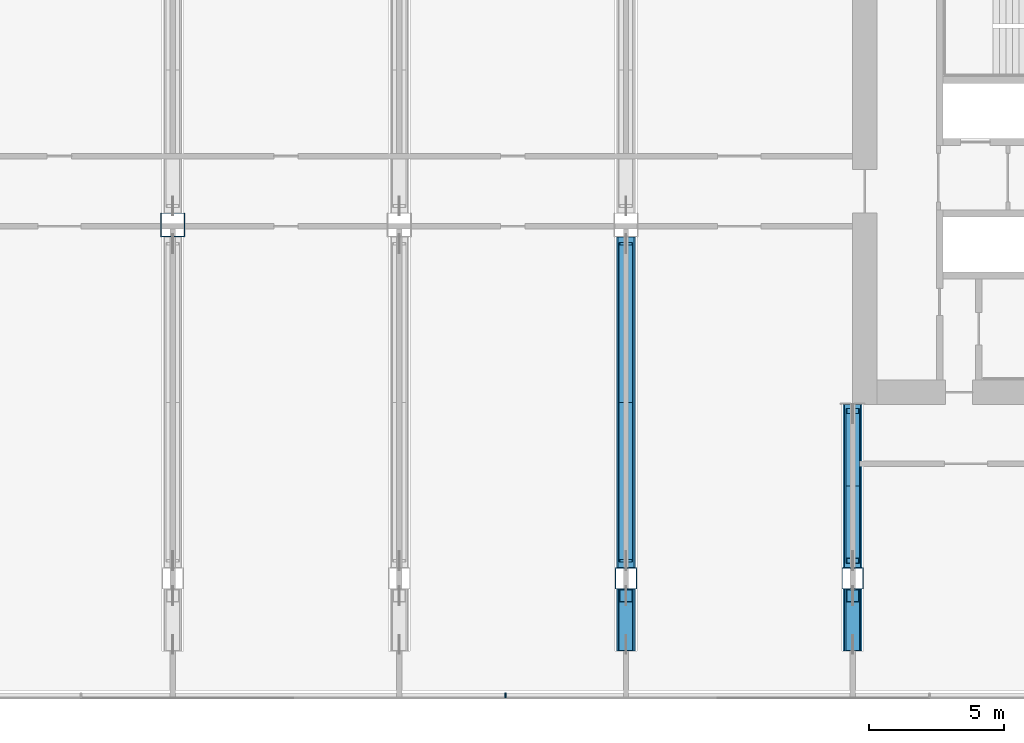
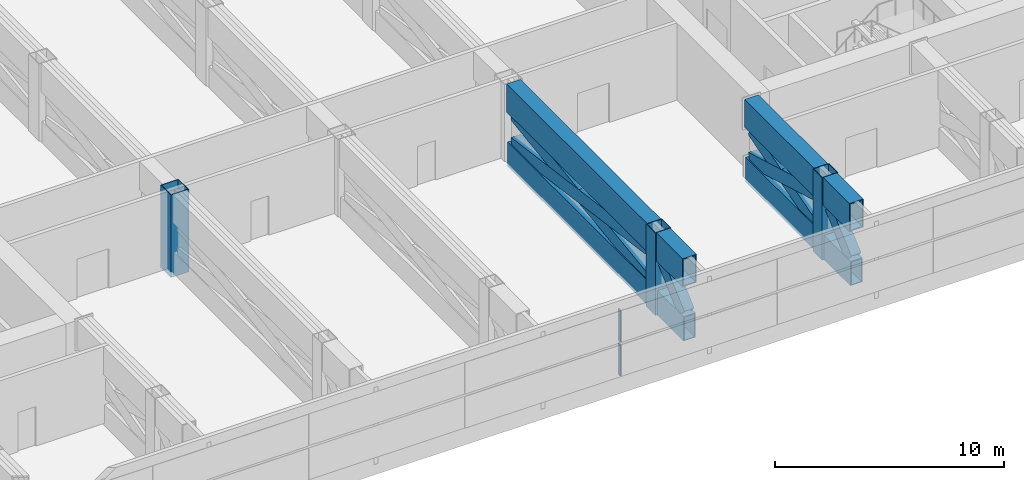
# One storey, part 7 of 31: 19 members, 1 element without a shape of its own.
"""IFC4 building model written with IfcOpenShell, lengths in metres."""

from ifc_helpers import new_model, si_unit, direction, frame, origin, origin_2d, place, context, subcontext, project, spatial, rectangle, hollow_rectangle, extrude, material, layer, layer_set, material_profile, profile_set, type_object, element, aggregate, save


model = new_model("IFC4")

# Units and contexts
model_context = context("Model", 3, precision=1e-05, world=origin(), true_north=direction((0.0, 1.0)))
body_context = subcontext(model_context, "Body", "Model", "MODEL_VIEW")
ifc_project = project(units=[si_unit("LENGTHUNIT", "METRE"), si_unit("AREAUNIT", "SQUARE_METRE"), si_unit("VOLUMEUNIT", "CUBIC_METRE"), si_unit("PLANEANGLEUNIT", "RADIAN"), si_unit("MASSUNIT", "GRAM", prefix="KILO")], contexts=[model_context])

# Site, building, storey
site_placement = place(None, origin())
site = spatial("IfcSite", under=ifc_project, at=site_placement, CompositionType="ELEMENT")
building_placement = place(site_placement, origin())
building = spatial("IfcBuilding", under=site, at=building_placement, Name="Hakoniwa Tower and Hamabe Station Hall", CompositionType="ELEMENT")
storey_placement = place(building_placement, frame((0.0, 0.0, 120.199951171875)))
storey = spatial("IfcBuildingStorey", under=building, at=storey_placement, Name="L34", CompositionType="ELEMENT", Elevation=120.199951171875)

# Curtain wall, members
ifc_material_1 = material(Name="Dark low-e laminated glass", Category="glass")
ifc_layer = layer(ifc_material_1, 0.199951171875)
ifc_layer_set = layer_set([ifc_layer], Name="CW-6 PLANT LOUVRE")
curtain_wall_type = type_object("IfcCurtainWallType", Name="CW-6 PLANT LOUVRE", PredefinedType="NOTDEFINED", material=ifc_layer_set)
curtain_wall_placement = place(storey_placement, origin())
curtain_wall = element("IfcCurtainWall", 1, at=curtain_wall_placement, inside=storey, type_object=curtain_wall_type, Name="CW-6 curtain wall", PredefinedType="NOTDEFINED")
ifc_material_2 = material(Name="Aluminium 6063-T5 black anodised", Category="aluminium")
ifc_material_profile_1 = material_profile(ifc_material_2, rectangle(XDim=0.06005859375, YDim=0.179931640625, at=origin_2d()), Name="CW-1 MULLION 60X180")
ifc_profile_set_1 = profile_set([ifc_material_profile_1], Name="Aluminium 6063-T5 black anodised")
member_type_1 = type_object("IfcMemberType", Name="CW-1 MULLION 60X180", PredefinedType="MULLION", material=ifc_profile_set_1)
member_1_placement = place(storey_placement, frame((3.930908203125, -19.181884765625, 0.35009765625), z_axis=(0.0, 0.0, 1.0), x_axis=(1.0, 0.0, 0.0)))
member_1 = element("IfcMember", 2, at=member_1_placement, type_object=member_type_1, Name="CW-6 mullion", PredefinedType="MULLION", context=body_context, shape_type="SweptSolid", body=[
    extrude(rectangle(XDim=0.06005859375, YDim=0.179931640625, at=origin_2d()), origin(), (0.0, 0.0, 1.0), 1.68994140625),
])
member_2_placement = place(storey_placement, frame((3.930908203125, -19.181884765625, 2.16015625), z_axis=(0.0, 0.0, 1.0), x_axis=(1.0, 0.0, 0.0)))
member_2 = element("IfcMember", 3, at=member_2_placement, type_object=member_type_1, Name="CW-6 mullion", PredefinedType="MULLION", context=body_context, shape_type="SweptSolid", body=[
    extrude(rectangle(XDim=0.06005859375, YDim=0.179931640625, at=origin_2d()), origin(), (0.0, 0.0, 1.0), 1.68994140625),
])
aggregate(curtain_wall, [member_1, member_2])

# Members
ifc_material_3 = material(Name="Steel SN490C", Category="steel")
ifc_material_profile_2 = material_profile(ifc_material_3, hollow_rectangle(XDim=0.60009765625, YDim=1.300048828125, WallThickness=0.050048828125, at=origin_2d()), Name="BX-1300x600x50")
ifc_profile_set_2 = profile_set([ifc_material_profile_2], Name="Steel SN490C")
member_type_2 = type_object("IfcMemberType", Name="TRUSS CHORD BX-1300x600x50", PredefinedType="CHORD", material=ifc_profile_set_2)
member_3_placement = place(storey_placement, frame((8.39990234375, -14.449951171875, 0.35009765625), z_axis=(0.0, 1.0, 0.0), x_axis=(-1.0, 0.0, 0.0)))
element("IfcMember", 4, at=member_3_placement, inside=storey, type_object=member_type_2, Name="Truss T2-13-BC01", PredefinedType="CHORD", context=body_context, shape_type="SweptSolid", body=[
    extrude(hollow_rectangle(XDim=0.60009765625, YDim=1.300048828125, WallThickness=0.050048828125, at=origin_2d()), origin(), (0.0, 0.0, 1.0), 12.25),
])
member_4_placement = place(storey_placement, frame((8.39990234375, -17.550048828125, 0.35009765625), z_axis=(0.0, 1.0, 0.0), x_axis=(-1.0, 0.0, 0.0)))
element("IfcMember", 5, at=member_4_placement, inside=storey, type_object=member_type_2, Name="Truss T2-13-BCL", PredefinedType="CHORD", context=body_context, shape_type="SweptSolid", body=[
    extrude(hollow_rectangle(XDim=0.60009765625, YDim=1.300048828125, WallThickness=0.050048828125, at=origin_2d()), origin(), (0.0, 0.0, 1.0), 2.300048828125),
])
member_5_placement = place(storey_placement, frame((16.800048828125, -14.449951171875, 0.35009765625), z_axis=(0.0, 1.0, 0.0), x_axis=(-1.0, 0.0, 0.0)))
element("IfcMember", 6, at=member_5_placement, inside=storey, type_object=member_type_2, Name="Truss T2-14-BC01", PredefinedType="CHORD", context=body_context, shape_type="SweptSolid", body=[
    extrude(hollow_rectangle(XDim=0.60009765625, YDim=1.300048828125, WallThickness=0.050048828125, at=origin_2d()), origin(), (0.0, 0.0, 1.0), 6.050048828125),
])
member_6_placement = place(storey_placement, frame((16.800048828125, -17.550048828125, 0.35009765625), z_axis=(0.0, 1.0, 0.0), x_axis=(-1.0, 0.0, 0.0)))
element("IfcMember", 7, at=member_6_placement, inside=storey, type_object=member_type_2, Name="Truss T2-14-BCL", PredefinedType="CHORD", context=body_context, shape_type="SweptSolid", body=[
    extrude(hollow_rectangle(XDim=0.60009765625, YDim=1.300048828125, WallThickness=0.050048828125, at=origin_2d()), origin(), (0.0, 0.0, 1.0), 2.300048828125),
])
ifc_material_4 = material(Name="Steel SN490C", Category="steel")
ifc_material_profile_3 = material_profile(ifc_material_4, hollow_rectangle(XDim=0.699951171875, YDim=1.5, WallThickness=0.054931640625, at=origin_2d()), Name="BX-1500x700x55")
ifc_profile_set_3 = profile_set([ifc_material_profile_3], Name="Steel SN490C")
member_type_3 = type_object("IfcMemberType", Name="TRUSS CHORD BX-1500x700x55", PredefinedType="CHORD", material=ifc_profile_set_3)
member_7_placement = place(storey_placement, frame((8.39990234375, -14.449951171875, 3.35009765625), z_axis=(0.0, 1.0, 0.0), x_axis=(-1.0, 0.0, 0.0)))
element("IfcMember", 8, at=member_7_placement, inside=storey, type_object=member_type_3, Name="Truss T2-13-TC01", PredefinedType="CHORD", context=body_context, shape_type="SweptSolid", body=[
    extrude(hollow_rectangle(XDim=0.699951171875, YDim=1.5, WallThickness=0.054931640625, at=origin_2d()), origin(), (0.0, 0.0, 1.0), 12.25),
])
member_8_placement = place(storey_placement, frame((8.39990234375, -17.550048828125, 3.35009765625), z_axis=(0.0, 1.0, 0.0), x_axis=(-1.0, 0.0, 0.0)))
element("IfcMember", 9, at=member_8_placement, inside=storey, type_object=member_type_3, Name="Truss T2-13-TCL", PredefinedType="CHORD", context=body_context, shape_type="SweptSolid", body=[
    extrude(hollow_rectangle(XDim=0.699951171875, YDim=1.5, WallThickness=0.054931640625, at=origin_2d()), origin(), (0.0, 0.0, 1.0), 2.300048828125),
])
member_9_placement = place(storey_placement, frame((16.800048828125, -14.449951171875, 3.35009765625), z_axis=(0.0, 1.0, 0.0), x_axis=(-1.0, 0.0, 0.0)))
element("IfcMember", 10, at=member_9_placement, inside=storey, type_object=member_type_3, Name="Truss T2-14-TC01", PredefinedType="CHORD", context=body_context, shape_type="SweptSolid", body=[
    extrude(hollow_rectangle(XDim=0.699951171875, YDim=1.5, WallThickness=0.054931640625, at=origin_2d()), origin(), (0.0, 0.0, 1.0), 6.050048828125),
])
member_10_placement = place(storey_placement, frame((16.800048828125, -17.550048828125, 3.35009765625), z_axis=(0.0, 1.0, 0.0), x_axis=(-1.0, 0.0, 0.0)))
element("IfcMember", 11, at=member_10_placement, inside=storey, type_object=member_type_3, Name="Truss T2-14-TCL", PredefinedType="CHORD", context=body_context, shape_type="SweptSolid", body=[
    extrude(hollow_rectangle(XDim=0.699951171875, YDim=1.5, WallThickness=0.054931640625, at=origin_2d()), origin(), (0.0, 0.0, 1.0), 2.300048828125),
])
ifc_material_5 = material(Name="Steel SN490C", Category="steel")
ifc_material_profile_4 = material_profile(ifc_material_5, hollow_rectangle(XDim=0.5, YDim=0.699951171875, WallThickness=0.031982421875, at=origin_2d()), Name="BX-700x500x32")
ifc_profile_set_4 = profile_set([ifc_material_profile_4], Name="Steel SN490C")
member_type_4 = type_object("IfcMemberType", Name="TRUSS DIAGONAL BX-700x500x32", PredefinedType="BRACE", material=ifc_profile_set_4)
for number, where, z_axis, x_axis, name in (
    (12, (8.39990234375, -14.199951171875, 1.0), (0.0, 0.99085470683, 0.134933131411), (-1.0, 0.0, 0.0), "Truss T2-13-D01a"),
    (13, (8.39990234375, -14.199951171875, 2.60009765625), (0.0, 0.99085470683, -0.134933131411), (-1.0, 0.0, 0.0), "Truss T2-13-D01b"),
):
    element("IfcMember", number, at=place(storey_placement, frame(where, z_axis=z_axis, x_axis=x_axis)), inside=storey, type_object=member_type_4, Name=name, PredefinedType="BRACE", context=body_context, shape_type="SweptSolid", body=[
        extrude(hollow_rectangle(XDim=0.5, YDim=0.699951171875, WallThickness=0.031982421875, at=origin_2d()), origin(), (0.0, 0.0, 1.0), 11.8583984375),
    ])
member_11_placement = place(storey_placement, frame((8.39990234375, -17.300048828125, 1.0), z_axis=(0.0, 0.747398132966, 0.664376422549), x_axis=(-1.0, 0.0, 0.0)))
element("IfcMember", 14, at=member_11_placement, inside=storey, type_object=member_type_4, Name="Truss T2-13-DLa", PredefinedType="BRACE", context=body_context, shape_type="SweptSolid", body=[
    extrude(hollow_rectangle(XDim=0.5, YDim=0.699951171875, WallThickness=0.031982421875, at=origin_2d()), origin(), (0.0, 0.0, 1.0), 2.408447265625),
])
for number, where, z_axis, x_axis, name in (
    (15, (16.800048828125, -14.199951171875, 1.0), (0.0, 0.960864058901, 0.277020324728), (-1.0, 0.0, 0.0), "Truss T2-14-D01a"),
    (16, (16.800048828125, -14.199951171875, 2.60009765625), (0.0, 0.960864058901, -0.277020324728), (-1.0, 0.0, 0.0), "Truss T2-14-D01b"),
):
    element("IfcMember", number, at=place(storey_placement, frame(where, z_axis=z_axis, x_axis=x_axis)), inside=storey, type_object=member_type_4, Name=name, PredefinedType="BRACE", context=body_context, shape_type="SweptSolid", body=[
        extrude(hollow_rectangle(XDim=0.5, YDim=0.699951171875, WallThickness=0.031982421875, at=origin_2d()), origin(), (0.0, 0.0, 1.0), 5.776123046875),
    ])
member_12_placement = place(storey_placement, frame((16.800048828125, -17.300048828125, 1.0), z_axis=(0.0, 0.747398132966, 0.664376422549), x_axis=(-1.0, 0.0, 0.0)))
element("IfcMember", 17, at=member_12_placement, inside=storey, type_object=member_type_4, Name="Truss T2-14-DLa", PredefinedType="BRACE", context=body_context, shape_type="SweptSolid", body=[
    extrude(hollow_rectangle(XDim=0.5, YDim=0.699951171875, WallThickness=0.031982421875, at=origin_2d()), origin(), (0.0, 0.0, 1.0), 2.408447265625),
])
ifc_material_6 = material(Name="Steel SN490C", Category="steel")
ifc_material_profile_5 = material_profile(ifc_material_6, hollow_rectangle(XDim=0.800048828125, YDim=0.800048828125, WallThickness=0.031982421875, at=origin_2d()), Name="BX-800x800x32")
ifc_profile_set_5 = profile_set([ifc_material_profile_5], Name="Steel SN490C")
member_type_5 = type_object("IfcMemberType", Name="TRUSS POST BX-800x800x32", PredefinedType="POST", material=ifc_profile_set_5)
for number, where, z_axis, x_axis, name in (
    (18, (8.39990234375, -14.85009765625, -0.300048828125), (0.0, 0.0, 1.0), (1.0, 0.0, 0.0), "Truss T2-13-P01"),
    (19, (16.800048828125, -14.85009765625, -0.300048828125), (0.0, 0.0, 1.0), (1.0, 0.0, 0.0), "Truss T2-14-P01"),
):
    element("IfcMember", number, at=place(storey_placement, frame(where, z_axis=z_axis, x_axis=x_axis)), inside=storey, type_object=member_type_5, Name=name, PredefinedType="POST", context=body_context, shape_type="SweptSolid", body=[
        extrude(hollow_rectangle(XDim=0.800048828125, YDim=0.800048828125, WallThickness=0.031982421875, at=origin_2d()), origin(), (0.0, 0.0, 1.0), 4.400146484375),
    ])
ifc_material_7 = material(Name="Steel SN490C", Category="steel")
ifc_material_profile_6 = material_profile(ifc_material_7, hollow_rectangle(XDim=0.89990234375, YDim=0.89990234375, WallThickness=0.035888671875, at=origin_2d()), Name="BX-900x900x36")
ifc_profile_set_6 = profile_set([ifc_material_profile_6], Name="Steel SN490C")
member_type_6 = type_object("IfcMemberType", Name="TRUSS POST BX-900x900x36", PredefinedType="POST", material=ifc_profile_set_6)
member_13_placement = place(storey_placement, frame((-8.39990234375, -1.75, -0.300048828125), z_axis=(0.0, 0.0, 1.0), x_axis=(1.0, 0.0, 0.0)))
element("IfcMember", 20, at=member_13_placement, inside=storey, type_object=member_type_6, Name="Truss T2-11-P02", PredefinedType="POST", context=body_context, shape_type="SweptSolid", body=[
    extrude(hollow_rectangle(XDim=0.89990234375, YDim=0.89990234375, WallThickness=0.035888671875, at=origin_2d()), origin(), (0.0, 0.0, 1.0), 4.400146484375),
])

save(model, "model.ifc")
